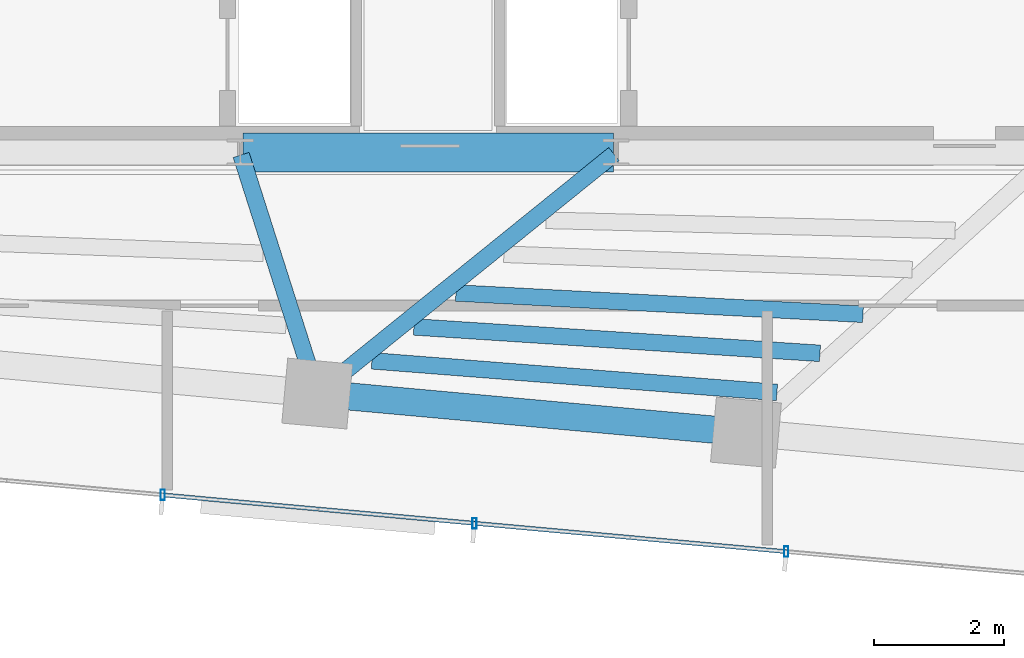
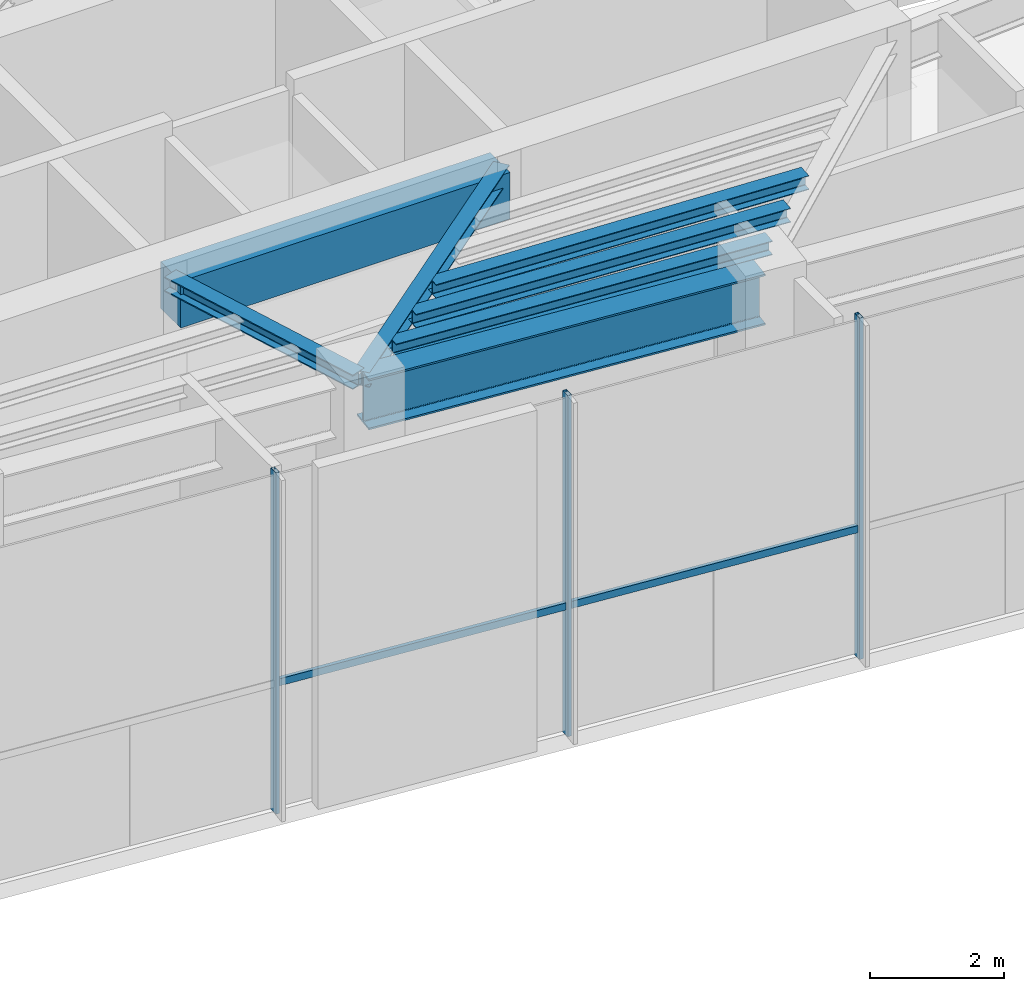
# One storey, part 6 of 18: 7 beams, 5 members, 1 element without a shape of its own.
"""IFC4 building model written with IfcOpenShell, lengths in metres."""

from ifc_helpers import new_model, si_unit, direction, frame, origin, origin_2d, place, context, subcontext, project, spatial, rectangle, hollow_rectangle, i_section, extrude, source, transform, mapped, material, material_profile, profile_set, type_object, type_shapes, element, aggregate, save


model = new_model("IFC4")

# Units and contexts
model_context = context("Model", 3, precision=1e-05, world=origin(), true_north=direction((0.0, 1.0)))
body_context = subcontext(model_context, "Body", "Model", "MODEL_VIEW")
ifc_project = project(units=[si_unit("LENGTHUNIT", "METRE"), si_unit("AREAUNIT", "SQUARE_METRE"), si_unit("VOLUMEUNIT", "CUBIC_METRE"), si_unit("PLANEANGLEUNIT", "RADIAN"), si_unit("MASSUNIT", "GRAM", prefix="KILO")], contexts=[model_context])

# Site, building, storey
site_placement = place(None, origin())
site = spatial("IfcSite", under=ifc_project, at=site_placement, CompositionType="ELEMENT")
building_placement = place(site_placement, origin())
building = spatial("IfcBuilding", under=site, at=building_placement, Name="Astriad Promenade Condominiums", CompositionType="ELEMENT")
storey_placement = place(building_placement, frame((0.0, 0.0, 277.300048828125)))
storey = spatial("IfcBuildingStorey", under=building, at=storey_placement, Name="L78", CompositionType="ELEMENT", Elevation=277.300048828125)

# Beams
ifc_material_1 = material(Name="Concrete C60/75", Category="concrete")
ifc_material_profile_1 = material_profile(ifc_material_1, rectangle(XDim=0.60009765625, YDim=0.85009765625, at=origin_2d()), Name="RC-BM-600X850")
ifc_profile_set_1 = profile_set([ifc_material_profile_1], Name="Concrete C60/75")
beam_type_1 = type_object("IfcBeamType", Name="CONCRETE CORE COUPLING LINTEL 600X850", PredefinedType="LINTEL", material=ifc_profile_set_1)
shared_shape_1 = source(origin(), body_context, "Body", "SweptSolid", [
    extrude(rectangle(XDim=0.60009765625, YDim=0.85009765625, at=origin_2d()), origin(), (0.0, 0.0, 1.0), 5.68017578125),
])
type_shapes(beam_type_1, [shared_shape_1])
beam_1_placement = place(storey_placement, frame((33.159912109375, 17.39990234375, 5.794921875), z_axis=(1.0, 0.0, 0.0), x_axis=(0.0, 1.0, 0.0)))
element("IfcBeam", 1, at=beam_1_placement, inside=storey, type_object=beam_type_1, Name="Core Ring Beam CG-S2-L78", PredefinedType="LINTEL", context=body_context, shape_type="MappedRepresentation", body=[
    mapped(shared_shape_1, transform((0.0, 0.0, 0.0), scale=1.0)),
])
ifc_material_2 = material(Name="Steel ASTM A992 Grade 50", Category="steel")
ifc_material_profile_2 = material_profile(ifc_material_2, i_section(OverallWidth=0.25732421875, OverallDepth=0.26416015625, WebThickness=0.011962890625, FlangeThickness=0.01953125, FilletRadius=0.0126953125, at=origin_2d()), Name="W10X68")
ifc_profile_set_2 = profile_set([ifc_material_profile_2], Name="Steel ASTM A992 Grade 50")
beam_type_2 = type_object("IfcBeamType", Name="STEEL CANOPY BEAM W10X68", PredefinedType="BEAM", material=ifc_profile_set_2)
shared_shape_2 = source(origin(), body_context, "Body", "SweptSolid", [
    extrude(i_section(OverallWidth=0.25732421875, OverallDepth=0.26416015625, WebThickness=0.011962890625, FlangeThickness=0.01953125, FilletRadius=0.0126953125, at=origin_2d()), origin(), (0.0, 0.0, 1.0), 3.801025390625),
])
beam_2_placement = place(storey_placement, frame((34.28759765625, 13.74072265625, 6.087890625), z_axis=(-0.304004205404, 0.952670689744, 0.0), x_axis=(-0.952670689744, -0.304004205404, 0.0)))
element("IfcBeam", 2, at=beam_2_placement, inside=storey, type_object=beam_type_2, Name="Primary Floor Girder PG-C1-L78", PredefinedType="BEAM", context=body_context, shape_type="MappedRepresentation", body=[
    mapped(shared_shape_2, transform((0.0, 0.0, 0.0), scale=1.0)),
])
shared_shape_3 = source(origin(), body_context, "Body", "SweptSolid", [
    extrude(i_section(OverallWidth=0.25732421875, OverallDepth=0.26416015625, WebThickness=0.011962890625, FlangeThickness=0.01953125, FilletRadius=0.0126953125, at=origin_2d()), origin(), (0.0, 0.0, 1.0), 5.806396484375),
])
type_shapes(beam_type_2, [shared_shape_2, shared_shape_3])
beam_3_placement = place(storey_placement, frame((34.330810546875, 13.727783203125, 6.087890625), z_axis=(0.77810873544, 0.628129601143, 0.0), x_axis=(-0.628129601143, 0.77810873544, 0.0)))
element("IfcBeam", 3, at=beam_3_placement, inside=storey, type_object=beam_type_2, Name="Primary Floor Girder PG-C2-L78", PredefinedType="BEAM", context=body_context, shape_type="MappedRepresentation", body=[
    mapped(shared_shape_3, transform((0.0, 0.0, 0.0), scale=1.0)),
])
ifc_material_profile_3 = material_profile(ifc_material_2, i_section(OverallWidth=0.418212890625, OverallDepth=0.926513671875, WebThickness=0.019287109375, FlangeThickness=0.031982421875, FilletRadius=0.024169921875, at=origin_2d()), Name="W36X231")
ifc_profile_set_3 = profile_set([ifc_material_profile_3], Name="Steel ASTM A992 Grade 50")
beam_type_3 = type_object("IfcBeamType", Name="STEEL CROWN RING BEAM W36X231", PredefinedType="BEAM", material=ifc_profile_set_3)
shared_shape_4 = source(origin(), body_context, "Body", "SweptSolid", [
    extrude(i_section(OverallWidth=0.418212890625, OverallDepth=0.926513671875, WebThickness=0.019287109375, FlangeThickness=0.031982421875, FilletRadius=0.024169921875, at=origin_2d()), origin(), (0.0, 0.0, 1.0), 6.52001953125),
])
type_shapes(beam_type_3, [shared_shape_4])
beam_4_placement = place(storey_placement, frame((34.339599609375, 13.69921875, 5.756591796875), z_axis=(0.995882457091, -0.090653911438, 0.0), x_axis=(0.090653911438, 0.995882457091, 0.0)))
element("IfcBeam", 4, at=beam_4_placement, inside=storey, type_object=beam_type_3, Name="Perimeter Spandrel Beam SP-S3-L78", PredefinedType="BEAM", context=body_context, shape_type="MappedRepresentation", body=[
    mapped(shared_shape_4, transform((0.0, 0.0, 0.0), scale=1.0)),
])
ifc_material_profile_4 = material_profile(ifc_material_2, i_section(OverallWidth=0.25390625, OverallDepth=0.25390625, WebThickness=0.008544921875, FlangeThickness=0.01416015625, FilletRadius=0.0126953125, at=origin_2d()), Name="W10X49")
ifc_profile_set_4 = profile_set([ifc_material_profile_4], Name="Steel ASTM A992 Grade 50")
beam_type_4 = type_object("IfcBeamType", Name="STEEL TRIMMER JOIST W10X49", PredefinedType="JOIST", material=ifc_profile_set_4)
shared_shape_5 = source(origin(), body_context, "Body", "SweptSolid", [
    extrude(i_section(OverallWidth=0.25390625, OverallDepth=0.25390625, WebThickness=0.008544921875, FlangeThickness=0.01416015625, FilletRadius=0.0126953125, at=origin_2d()), origin(), (0.0, 0.0, 1.0), 6.229248046875),
])
beam_5_placement = place(storey_placement, frame((35.1376953125, 14.205078125, 6.093017578125), z_axis=(0.996969269926, -0.077796367671, 0.0), x_axis=(0.077796367671, 0.996969269926, 0.0)))
element("IfcBeam", 5, at=beam_5_placement, inside=storey, type_object=beam_type_4, Name="Secondary Composite Floor Joist JCE-1-L78", PredefinedType="JOIST", context=body_context, shape_type="MappedRepresentation", body=[
    mapped(shared_shape_5, transform((0.0, 0.0, 0.0), scale=1.0)),
])
shared_shape_6 = source(origin(), body_context, "Body", "SweptSolid", [
    extrude(i_section(OverallWidth=0.25390625, OverallDepth=0.25390625, WebThickness=0.008544921875, FlangeThickness=0.01416015625, FilletRadius=0.0126953125, at=origin_2d()), origin(), (0.0, 0.0, 1.0), 6.2392578125),
])
beam_6_placement = place(storey_placement, frame((35.78173828125, 14.72509765625, 6.093017578125), z_axis=(0.997885626564, -0.064994432818, 0.0), x_axis=(0.064994432818, 0.997885626564, 0.0)))
element("IfcBeam", 6, at=beam_6_placement, inside=storey, type_object=beam_type_4, Name="Secondary Composite Floor Joist JCE-2-L78", PredefinedType="JOIST", context=body_context, shape_type="MappedRepresentation", body=[
    mapped(shared_shape_6, transform((0.0, 0.0, 0.0), scale=1.0)),
])
shared_shape_7 = source(origin(), body_context, "Body", "SweptSolid", [
    extrude(i_section(OverallWidth=0.25390625, OverallDepth=0.25390625, WebThickness=0.008544921875, FlangeThickness=0.01416015625, FilletRadius=0.0126953125, at=origin_2d()), origin(), (0.0, 0.0, 1.0), 6.25),
])
type_shapes(beam_type_4, [shared_shape_5, shared_shape_6, shared_shape_7])
beam_7_placement = place(storey_placement, frame((36.42578125, 15.2451171875, 6.093017578125), z_axis=(0.998635255149, -0.052226690246, 0.0), x_axis=(0.052226690246, 0.998635255149, 0.0)))
element("IfcBeam", 7, at=beam_7_placement, inside=storey, type_object=beam_type_4, Name="Secondary Composite Floor Joist JCE-3-L78", PredefinedType="JOIST", context=body_context, shape_type="MappedRepresentation", body=[
    mapped(shared_shape_7, transform((0.0, 0.0, 0.0), scale=1.0)),
])

# Curtain wall, members
ifc_material_3 = material(Name="Anodised aluminium Black Dark Glass Unitised", Category="aluminium")
curtain_wall_type = type_object("IfcCurtainWallType", Name="CW-TMD-LANTERN", PredefinedType="USERDEFINED", material=ifc_material_3)
curtain_wall_placement = place(storey_placement, origin())
curtain_wall = element("IfcCurtainWall", 8, at=curtain_wall_placement, inside=storey, type_object=curtain_wall_type, Name="CW-CRN-L78-18", ObjectType="UNITISED_CURTAIN_WALL", PredefinedType="USERDEFINED")
ifc_material_4 = material(Name="Anodised aluminium 6063-T6 Black", Category="aluminium")
ifc_material_profile_5 = material_profile(ifc_material_4, hollow_rectangle(XDim=0.06494140625, YDim=0.159912109375, WallThickness=0.00390625, at=origin_2d()), Name="ALU-MUL-65X160")
ifc_profile_set_5 = profile_set([ifc_material_profile_5], Name="Anodised aluminium 6063-T6 Black")
member_type_1 = type_object("IfcMemberType", Name="MUL-ALU-MUL-65X160", PredefinedType="MULLION", material=ifc_profile_set_5)
shared_shape_8 = source(origin(), body_context, "Body", "SweptSolid", [
    extrude(hollow_rectangle(XDim=0.06494140625, YDim=0.159912109375, WallThickness=0.00390625, at=origin_2d()), origin(), (0.0, 0.0, 1.0), 6.219970703125),
])
type_shapes(member_type_1, [shared_shape_8])
member_1_placement = place(storey_placement, frame((41.490478515625, 11.2783203125, 0.0), z_axis=(0.0, 0.0, 1.0), x_axis=(1.0, 0.0, 0.0)))
member_1 = element("IfcMember", 9, at=member_1_placement, type_object=member_type_1, Name="CW-CRN-L78-18-MUL-02", PredefinedType="MULLION", context=body_context, shape_type="MappedRepresentation", body=[
    mapped(shared_shape_8, transform((0.0, 0.0, 0.0), scale=1.0)),
])
member_2_placement = place(storey_placement, frame((36.71044921875, 11.71337890625, 0.0), z_axis=(0.0, 0.0, 1.0), x_axis=(1.0, 0.0, 0.0)))
member_2 = element("IfcMember", 10, at=member_2_placement, type_object=member_type_1, Name="CW-CRN-L78-18-MUL-03", PredefinedType="MULLION", context=body_context, shape_type="MappedRepresentation", body=[
    mapped(shared_shape_8, transform((0.0, 0.0, 0.0), scale=1.0)),
])
member_3_placement = place(storey_placement, frame((31.93017578125, 12.1484375, 0.0), z_axis=(0.0, 0.0, 1.0), x_axis=(1.0, 0.0, 0.0)))
member_3 = element("IfcMember", 11, at=member_3_placement, type_object=member_type_1, Name="CW-CRN-L78-18-MUL-04", PredefinedType="MULLION", context=body_context, shape_type="MappedRepresentation", body=[
    mapped(shared_shape_8, transform((0.0, 0.0, 0.0), scale=1.0)),
])
ifc_material_profile_6 = material_profile(ifc_material_4, hollow_rectangle(XDim=0.06494140625, YDim=0.1298828125, WallThickness=0.00390625, at=origin_2d()), Name="ALU-TRN-65X130")
ifc_profile_set_6 = profile_set([ifc_material_profile_6], Name="Anodised aluminium 6063-T6 Black")
member_type_2 = type_object("IfcMemberType", Name="TRN-ALU-TRN-65X130", PredefinedType="USERDEFINED", material=ifc_profile_set_6)
shared_shape_9 = source(origin(), body_context, "Body", "SweptSolid", [
    extrude(hollow_rectangle(XDim=0.06494140625, YDim=0.1298828125, WallThickness=0.00390625, at=origin_2d()), origin(), (0.0, 0.0, 1.0), 4.7998046875),
])
member_4_placement = place(storey_placement, frame((41.490478515625, 11.2783203125, 2.349853515625), z_axis=(-0.9958836116, 0.090641227635, 0.0), x_axis=(-0.090641227635, -0.9958836116, 0.0)))
member_4 = element("IfcMember", 12, at=member_4_placement, type_object=member_type_2, Name="CW-CRN-L78-18-TRN-02-0", ObjectType="TRANSOM", PredefinedType="USERDEFINED", context=body_context, shape_type="MappedRepresentation", body=[
    mapped(shared_shape_9, transform((0.0, 0.0, 0.0), scale=1.0)),
])
shared_shape_10 = source(origin(), body_context, "Body", "SweptSolid", [
    extrude(hollow_rectangle(XDim=0.06494140625, YDim=0.1298828125, WallThickness=0.00390625, at=origin_2d()), origin(), (0.0, 0.0, 1.0), 4.800048828125),
])
type_shapes(member_type_2, [shared_shape_9, shared_shape_10])
member_5_placement = place(storey_placement, frame((36.71044921875, 11.71337890625, 2.349853515625), z_axis=(-0.995884029465, 0.09063663639, 0.0), x_axis=(-0.09063663639, -0.995884029465, 0.0)))
member_5 = element("IfcMember", 13, at=member_5_placement, type_object=member_type_2, Name="CW-CRN-L78-18-TRN-03-0", ObjectType="TRANSOM", PredefinedType="USERDEFINED", context=body_context, shape_type="MappedRepresentation", body=[
    mapped(shared_shape_10, transform((0.0, 0.0, 0.0), scale=1.0)),
])
aggregate(curtain_wall, [member_1, member_2, member_3, member_4, member_5])

save(model, "model.ifc")
